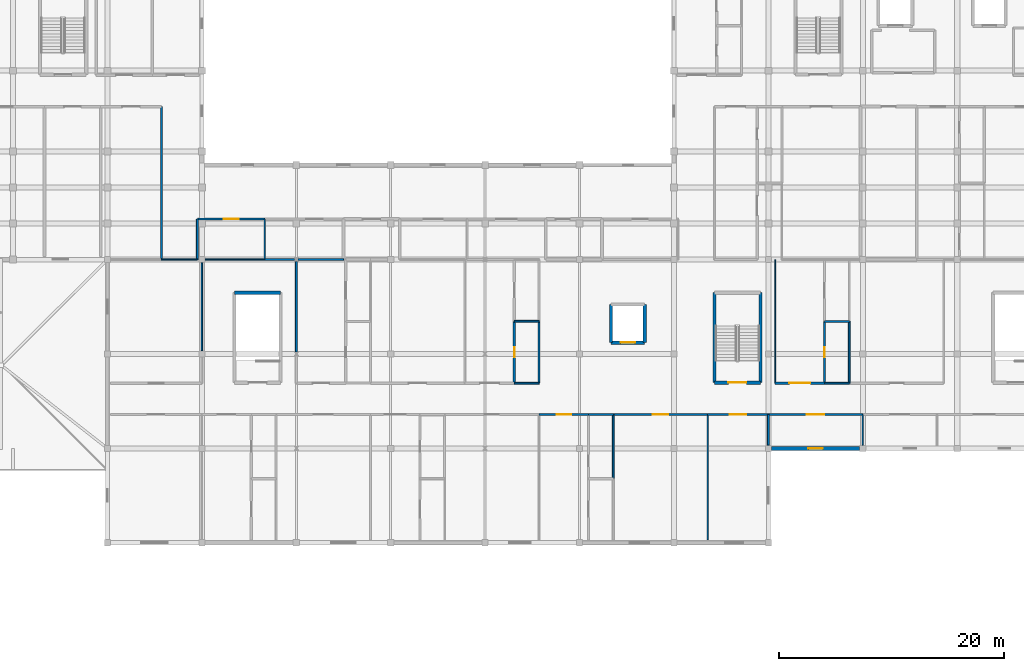
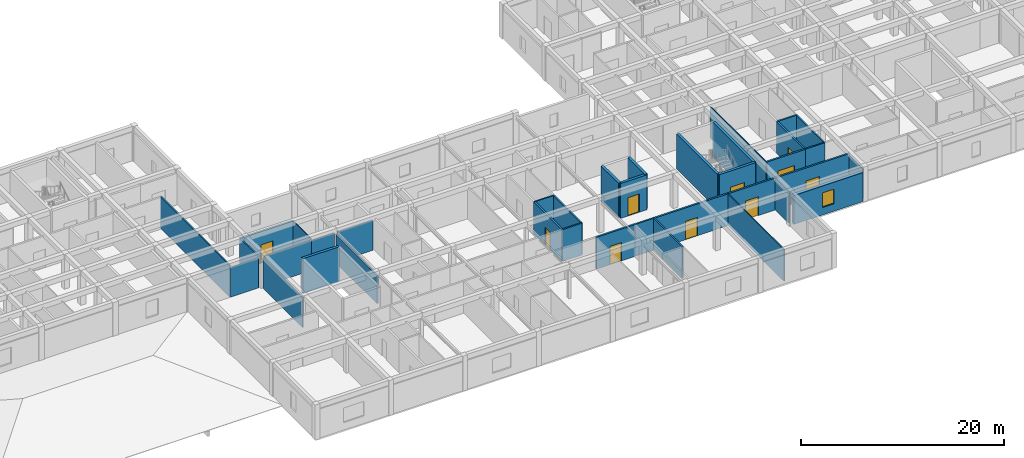
# One storey, part 20 of 42: 37 walls, 10 doors, 1 window, 11 openings.
"""IFC4 building model written with IfcOpenShell, lengths in metres."""

from ifc_helpers import new_model, si_unit, direction, frame, frame_2d, origin, place, context, subcontext, project, spatial, rectangle, extrude, material, layer, layer_set, type_object, element, fill, save


model = new_model("IFC4")

# Units and contexts
model_context = context("Model", 3, precision=1e-05, world=origin(), true_north=direction((0.0, 1.0)))
body_context = subcontext(model_context, "Body", "Model", "MODEL_VIEW")
ifc_project = project(units=[si_unit("LENGTHUNIT", "METRE"), si_unit("AREAUNIT", "SQUARE_METRE"), si_unit("VOLUMEUNIT", "CUBIC_METRE"), si_unit("PLANEANGLEUNIT", "RADIAN"), si_unit("MASSUNIT", "GRAM", prefix="KILO")], contexts=[model_context])

# Site, building, storey
site_placement = place(None, origin())
site = spatial("IfcSite", under=ifc_project, at=site_placement, CompositionType="ELEMENT")
building_placement = place(site_placement, origin())
building = spatial("IfcBuilding", under=site, at=building_placement, Name="Varncliffe General Hospital", CompositionType="ELEMENT")
storey_placement = place(building_placement, frame((0.0, 0.0, 20.39990234375)))
storey = spatial("IfcBuildingStorey", under=building, at=storey_placement, Name="L04", CompositionType="ELEMENT", Elevation=20.39990234375)

# Wall, opening, window
ifc_material_1 = material(Name="Precast concrete C40/50 with insulated cream lime-cement stucco", Category="concrete")
ifc_layer_1 = layer(ifc_material_1, 0.35009765625)
ifc_layer_set_1 = layer_set([ifc_layer_1], Name="Precast concrete C40/50 with insulated cream lime-cement stucco")
wall_type_1 = type_object("IfcWallType", Name="Exterior Insulated Stucco Wall EW37 (350mm)", PredefinedType="SOLIDWALL", material=ifc_layer_set_1)
wall_1_placement = place(storey_placement, frame((125.72705078125, 82.800048828125, 0.0), z_axis=(0.0, 0.0, 1.0), x_axis=(-1.0, 0.0, 0.0)))
wall_1 = element("IfcWall", 1, at=wall_1_placement, inside=storey, type_object=wall_type_1, Name="L04 Exterior Stucco Wall EW37-319", PredefinedType="SOLIDWALL", context=body_context, shape_type="SweptSolid", body=[
    extrude(rectangle(XDim=7.85400390625, YDim=0.35009765625, at=frame_2d((3.927001953125, 0.0))), origin(), (0.0, 0.0, 1.0), 3.47998046875),
])
opening_1_placement = place(wall_1_placement, frame((3.277099609375, 0.0, 0.89990234375)))
opening_1 = element("IfcOpeningElement", 2, at=opening_1_placement, cuts=wall_1, Name="Opening WN40", PredefinedType="OPENING", context=body_context, shape_type="SweptSolid", body=[
    extrude(rectangle(XDim=1.300048828125, YDim=1.75, at=frame_2d((0.64990234375, 0.875))), frame((0.0, 0.18505859375, 0.0), z_axis=(0.0, -1.0, 0.0), x_axis=(1.0, 0.0, 0.0)), (0.0, 0.0, 1.0), 0.3701171875),
])
ifc_material_2 = material(Name="Triple low-E argon insulated vision glazing", Category="glass")
window_type = type_object("IfcWindowType", Name="Triple-Glazed Hospital Window WN40 (1300x1750)", PartitioningType="SINGLE_PANEL", PredefinedType="WINDOW", material=ifc_material_2)
window_placement = place(opening_1_placement, origin())
window = element("IfcWindow", 3, at=window_placement, inside=storey, type_object=window_type, Name="L04 Hospital Window WN40-237", OverallHeight=1.75, OverallWidth=1.300048828125, PartitioningType="SINGLE_PANEL", PredefinedType="WINDOW", context=body_context, shape_type="SweptSolid", body=[
    extrude(rectangle(XDim=1.300048828125, YDim=1.75, at=frame_2d((0.64990234375, 0.875))), frame((0.0, 0.030029296875, 0.0), z_axis=(0.0, -1.0, 0.0), x_axis=(1.0, 0.0, 0.0)), (0.0, 0.0, 1.0), 0.06005859375),
])
fill(opening_1, window)

# Walls
ifc_material_3 = material(Name="Acoustic clinical gypsum stud partition assembly", Category="gypsum")
ifc_layer_2 = layer(ifc_material_3, 0.1298828125)
ifc_layer_set_2 = layer_set([ifc_layer_2], Name="Acoustic clinical gypsum stud partition assembly")
wall_type_2 = type_object("IfcWallType", Name="Interior Partitioning IW11 (130mm)", PredefinedType="PARTITIONING", material=ifc_layer_set_2)
wall_2_placement = place(storey_placement, frame((67.489990234375, 99.60009765625, 0.0), z_axis=(0.0, 0.0, 1.0), x_axis=(1.0, 0.0, 0.0)))
element("IfcWall", 4, at=wall_2_placement, inside=storey, type_object=wall_type_2, Name="L04 Interior Partition Wall IW11-1743", PredefinedType="PARTITIONING", context=body_context, shape_type="SweptSolid", body=[
    extrude(rectangle(XDim=5.31005859375, YDim=0.1298828125, at=frame_2d((2.655029296875, 0.0))), origin(), (0.0, 0.0, 1.0), 3.585205078125),
])
wall_3_placement = place(storey_placement, frame((67.199951171875, 91.489990234375, 0.0), z_axis=(0.0, 0.0, 1.0), x_axis=(0.0, 1.0, 0.0)))
element("IfcWall", 5, at=wall_3_placement, inside=storey, type_object=wall_type_2, Name="L04 Interior Partition Wall IW11-1883", PredefinedType="PARTITIONING", context=body_context, shape_type="SweptSolid", body=[
    extrude(rectangle(XDim=7.820068359375, YDim=0.1298828125, at=frame_2d((3.91015625, 0.0))), origin(), (0.0, 0.0, 1.0), 3.585205078125),
])
ifc_layer_3 = layer(ifc_material_3, 0.169921875)
ifc_layer_set_3 = layer_set([ifc_layer_3], Name="Acoustic clinical gypsum stud partition assembly")
wall_type_3 = type_object("IfcWallType", Name="Interior Partitioning IW20 (170mm)", PredefinedType="PARTITIONING", material=ifc_layer_set_3)
wall_4_placement = place(storey_placement, frame((75.767578125, 99.60009765625, 0.0), z_axis=(0.0, 0.0, 1.0), x_axis=(1.0, 0.0, 0.0)))
element("IfcWall", 6, at=wall_4_placement, inside=storey, type_object=wall_type_3, Name="L04 Interior Partition Wall IW20-1745", PredefinedType="PARTITIONING", context=body_context, shape_type="SweptSolid", body=[
    extrude(rectangle(XDim=4.032470703125, YDim=0.169921875, at=frame_2d((2.01611328125, 0.0))), origin(), (0.0, 0.0, 1.0), 3.585205078125),
])
wall_5_placement = place(storey_placement, frame((66.800048828125, 99.60009765625, 0.0), z_axis=(0.0, 0.0, 1.0), x_axis=(0.0, 1.0, 0.0)))
element("IfcWall", 7, at=wall_5_placement, inside=storey, type_object=wall_type_3, Name="L04 Interior Partition Wall IW20-1880", PredefinedType="PARTITIONING", context=body_context, shape_type="SweptSolid", body=[
    extrude(rectangle(XDim=3.599853515625, YDim=0.169921875, at=frame_2d((1.7998046875, 0.0))), origin(), (0.0, 0.0, 1.0), 3.820068359375),
])
wall_6_placement = place(storey_placement, frame((75.60009765625, 91.368896484375, 0.0), z_axis=(0.0, 0.0, 1.0), x_axis=(0.0, 1.0, 0.0)))
element("IfcWall", 8, at=wall_6_placement, inside=storey, type_object=wall_type_3, Name="L04 Interior Partition Wall IW20-1890", PredefinedType="PARTITIONING", context=body_context, shape_type="SweptSolid", body=[
    extrude(rectangle(XDim=8.06201171875, YDim=0.169921875, at=frame_2d((4.031005859375, 0.0))), origin(), (0.0, 0.0, 1.0), 3.412109375),
])
wall_7_placement = place(storey_placement, frame((117.60009765625, 83.090087890625, 0.0), z_axis=(0.0, 0.0, 1.0), x_axis=(0.0, 1.0, 0.0)))
element("IfcWall", 9, at=wall_7_placement, inside=storey, type_object=wall_type_3, Name="L04 Interior Partition Wall IW20-1925", PredefinedType="PARTITIONING", context=body_context, shape_type="SweptSolid", body=[
    extrude(rectangle(XDim=2.7099609375, YDim=0.169921875, at=frame_2d((1.35498046875, 0.0))), origin(), (0.0, 0.0, 1.0), 3.585205078125),
])
ifc_layer_4 = layer(ifc_material_3, 0.14990234375)
ifc_layer_set_4 = layer_set([ifc_layer_4], Name="Acoustic clinical gypsum stud partition assembly")
wall_type_4 = type_object("IfcWallType", Name="Interior Partitioning IW35 (150mm)", PredefinedType="PARTITIONING", material=ifc_layer_set_4)
wall_8_placement = place(storey_placement, frame((72.800048828125, 99.60009765625, 0.0), z_axis=(0.0, 0.0, 1.0), x_axis=(1.0, 0.0, 0.0)))
element("IfcWall", 10, at=wall_8_placement, inside=storey, type_object=wall_type_4, Name="L04 Interior Partition Wall IW35-1744", PredefinedType="PARTITIONING", context=body_context, shape_type="SweptSolid", body=[
    extrude(rectangle(XDim=2.632568359375, YDim=0.14990234375, at=frame_2d((1.31640625, 0.0))), origin(), (0.0, 0.0, 1.0), 3.585205078125),
])
wall_9_placement = place(storey_placement, frame((63.60009765625, 99.60009765625, 0.0), z_axis=(0.0, 0.0, 1.0), x_axis=(0.0, 1.0, 0.0)))
element("IfcWall", 11, at=wall_9_placement, inside=storey, type_object=wall_type_4, Name="L04 Interior Partition Wall IW35-1879", PredefinedType="PARTITIONING", context=body_context, shape_type="SweptSolid", body=[
    extrude(rectangle(XDim=13.599853515625, YDim=0.14990234375, at=frame_2d((6.7998046875, 0.0))), origin(), (0.0, 0.0, 1.0), 3.820068359375),
])
ifc_layer_5 = layer(ifc_material_3, 0.090087890625)
ifc_layer_set_5 = layer_set([ifc_layer_5], Name="Acoustic clinical gypsum stud partition assembly")
wall_type_5 = type_object("IfcWallType", Name="Interior Partitioning IW42 (90mm)", PredefinedType="PARTITIONING", material=ifc_layer_set_5)
wall_10_placement = place(storey_placement, frame((118.199951171875, 88.60009765625, 0.0), z_axis=(0.0, 0.0, 1.0), x_axis=(0.0, 1.0, 0.0)))
element("IfcWall", 12, at=wall_10_placement, inside=storey, type_object=wall_type_5, Name="L04 Interior Partition Wall IW42-1926", PredefinedType="PARTITIONING", context=body_context, shape_type="SweptSolid", body=[
    extrude(rectangle(XDim=11.0, YDim=0.090087890625, at=frame_2d((5.5, 0.0))), origin(), (0.0, 0.0, 1.0), 3.820068359375),
])
ifc_layer_6 = layer(ifc_material_3, 0.110107421875)
ifc_layer_set_6 = layer_set([ifc_layer_6], Name="Acoustic clinical gypsum stud partition assembly")
wall_type_6 = type_object("IfcWallType", Name="Interior Partitioning IW65 (110mm)", PredefinedType="PARTITIONING", material=ifc_layer_set_6)
wall_11_placement = place(storey_placement, frame((63.60009765625, 99.60009765625, 0.0), z_axis=(0.0, 0.0, 1.0), x_axis=(1.0, 0.0, 0.0)))
element("IfcWall", 13, at=wall_11_placement, inside=storey, type_object=wall_type_6, Name="L04 Interior Partition Wall IW65-1742", PredefinedType="PARTITIONING", context=body_context, shape_type="SweptSolid", body=[
    extrude(rectangle(XDim=3.199951171875, YDim=0.110107421875, at=frame_2d((1.60009765625, 0.0))), origin(), (0.0, 0.0, 1.0), 3.585205078125),
])
wall_12_placement = place(storey_placement, frame((72.800048828125, 99.60009765625, 0.0), z_axis=(0.0, 0.0, 1.0), x_axis=(0.0, 1.0, 0.0)))
element("IfcWall", 14, at=wall_12_placement, inside=storey, type_object=wall_type_6, Name="L04 Interior Partition Wall IW65-1887", PredefinedType="PARTITIONING", context=body_context, shape_type="SweptSolid", body=[
    extrude(rectangle(XDim=3.599853515625, YDim=0.110107421875, at=frame_2d((1.7998046875, 0.0))), origin(), (0.0, 0.0, 1.0), 3.820068359375),
])
wall_13_placement = place(storey_placement, frame((112.199951171875, 74.659912109375, 0.0), z_axis=(0.0, 0.0, 1.0), x_axis=(0.0, 1.0, 0.0)))
element("IfcWall", 15, at=wall_13_placement, inside=storey, type_object=wall_type_6, Name="L04 Interior Partition Wall IW65-1917", PredefinedType="PARTITIONING", context=body_context, shape_type="SweptSolid", body=[
    extrude(rectangle(XDim=11.14013671875, YDim=0.110107421875, at=frame_2d((5.570068359375, 0.0))), origin(), (0.0, 0.0, 1.0), 3.820068359375),
])
wall_14_placement = place(storey_placement, frame((126.0, 83.090087890625, 0.0), z_axis=(0.0, 0.0, 1.0), x_axis=(0.0, 1.0, 0.0)))
element("IfcWall", 16, at=wall_14_placement, inside=storey, type_object=wall_type_6, Name="L04 Interior Partition Wall IW65-1937", PredefinedType="PARTITIONING", context=body_context, shape_type="SweptSolid", body=[
    extrude(rectangle(XDim=2.7099609375, YDim=0.110107421875, at=frame_2d((1.35498046875, 0.0))), origin(), (0.0, 0.0, 1.0), 3.585205078125),
])

# Wall, opening, door
ifc_material_4 = material(Name="Fire-rated gypsum and mineral-wool partition assembly", Category="gypsum")
ifc_layer_7 = layer(ifc_material_4, 0.199951171875)
ifc_layer_set_7 = layer_set([ifc_layer_7], Name="Fire-rated gypsum and mineral-wool partition assembly")
wall_type_7 = type_object("IfcWallType", Name="Interior Partitioning PW63 (200mm)", PredefinedType="PARTITIONING", material=ifc_layer_set_7)
wall_15_placement = place(storey_placement, frame((97.199951171875, 85.800048828125, 0.0), z_axis=(0.0, 0.0, 1.0), x_axis=(1.0, 0.0, 0.0)))
wall_15 = element("IfcWall", 17, at=wall_15_placement, inside=storey, type_object=wall_type_7, Name="L04 Interior Partition Wall PW63-1705", PredefinedType="PARTITIONING", context=body_context, shape_type="SweptSolid", body=[
    extrude(rectangle(XDim=4.400146484375, YDim=0.199951171875, at=frame_2d((2.2001953125, 0.0))), origin(), (0.0, 0.0, 1.0), 3.820068359375),
])
opening_2_placement = place(wall_15_placement, frame((1.550048828125, 0.0, 0.0)))
opening_2 = element("IfcOpeningElement", 18, at=opening_2_placement, cuts=wall_15, Name="Opening DC88", PredefinedType="OPENING", context=body_context, shape_type="SweptSolid", body=[
    extrude(rectangle(XDim=1.300048828125, YDim=2.199951171875, at=frame_2d((0.64990234375, 1.10009765625))), frame((0.0, 0.10986328125, 0.0), z_axis=(0.0, -1.0, 0.0), x_axis=(1.0, 0.0, 0.0)), (0.0, 0.0, 1.0), 0.219970703125),
])
ifc_material_5 = material(Name="Fire-rated hospital steel-frame vision-panel door", Category="steel")
door_type_1 = type_object("IfcDoorType", Name="Interior Hospital Door DC88 (1300x2200)", OperationType="NOTDEFINED", PredefinedType="DOOR", material=ifc_material_5)
door_1_placement = place(opening_2_placement, frame((1.300048828125, 0.0, 0.0), z_axis=(0.0, 0.0, 1.0), x_axis=(-1.0, 0.0, 0.0)))
door_1 = element("IfcDoor", 19, at=door_1_placement, inside=storey, type_object=door_type_1, Name="L04 Interventional Short-Stay Recovery Room 38 Door", OperationType="SINGLE_SWING_LEFT", OverallHeight=2.199951171875, OverallWidth=1.300048828125, PredefinedType="DOOR", context=body_context, shape_type="SweptSolid", body=[
    extrude(rectangle(XDim=1.300048828125, YDim=2.199951171875, at=frame_2d((0.64990234375, 1.10009765625))), frame((0.0, 0.02490234375, 0.0), z_axis=(0.0, -1.0, 0.0), x_axis=(1.0, 0.0, 0.0)), (0.0, 0.0, 1.0), 0.050048828125),
])
fill(opening_2, door_1)

wall_16_placement = place(storey_placement, frame((103.800048828125, 85.800048828125, 0.0), z_axis=(0.0, 0.0, 1.0), x_axis=(1.0, 0.0, 0.0)))
wall_16 = element("IfcWall", 20, at=wall_16_placement, inside=storey, type_object=wall_type_7, Name="L04 Interior Partition Wall PW63-1707", PredefinedType="PARTITIONING", context=body_context, shape_type="SweptSolid", body=[
    extrude(rectangle(XDim=8.39990234375, YDim=0.199951171875, at=frame_2d((4.199951171875, 0.0))), origin(), (0.0, 0.0, 1.0), 3.820068359375),
])
opening_3_placement = place(wall_16_placement, frame((3.52490234375, 0.0, 0.0)))
opening_3 = element("IfcOpeningElement", 21, at=opening_3_placement, cuts=wall_16, Name="Opening DC85", PredefinedType="OPENING", context=body_context, shape_type="SweptSolid", body=[
    extrude(rectangle(XDim=1.35009765625, YDim=2.199951171875, at=frame_2d((0.675048828125, 1.10009765625))), frame((0.0, 0.10986328125, 0.0), z_axis=(0.0, -1.0, 0.0), x_axis=(1.0, 0.0, 0.0)), (0.0, 0.0, 1.0), 0.219970703125),
])
door_type_2 = type_object("IfcDoorType", Name="Interior Hospital Door DC85 (1350x2200)", OperationType="NOTDEFINED", PredefinedType="DOOR", material=ifc_material_5)
door_2_placement = place(opening_3_placement, frame((1.35009765625, 0.0, 0.0), z_axis=(0.0, 0.0, 1.0), x_axis=(-1.0, 0.0, 0.0)))
door_2 = element("IfcDoor", 22, at=door_2_placement, inside=storey, type_object=door_type_2, Name="L04 Perinatal Caesarean Surgical Theatre 41 Door", OperationType="SINGLE_SWING_RIGHT", OverallHeight=2.199951171875, OverallWidth=1.35009765625, PredefinedType="DOOR", context=body_context, shape_type="SweptSolid", body=[
    extrude(rectangle(XDim=1.35009765625, YDim=2.199951171875, at=frame_2d((0.675048828125, 1.10009765625))), frame((0.0, 0.02490234375, 0.0), z_axis=(0.0, -1.0, 0.0), x_axis=(1.0, 0.0, 0.0)), (0.0, 0.0, 1.0), 0.050048828125),
])
fill(opening_3, door_2)

wall_17_placement = place(storey_placement, frame((112.199951171875, 85.800048828125, 0.0), z_axis=(0.0, 0.0, 1.0), x_axis=(1.0, 0.0, 0.0)))
wall_17 = element("IfcWall", 23, at=wall_17_placement, inside=storey, type_object=wall_type_7, Name="L04 Interior Partition Wall PW63-1708", PredefinedType="PARTITIONING", context=body_context, shape_type="SweptSolid", body=[
    extrude(rectangle(XDim=5.400146484375, YDim=0.199951171875, at=frame_2d((2.7001953125, 0.0))), origin(), (0.0, 0.0, 1.0), 3.820068359375),
])
opening_4_placement = place(wall_17_placement, frame((1.97509765625, 0.0, 0.0)))
opening_4 = element("IfcOpeningElement", 24, at=opening_4_placement, cuts=wall_17, Name="Opening DC66", PredefinedType="OPENING", context=body_context, shape_type="SweptSolid", body=[
    extrude(rectangle(XDim=1.449951171875, YDim=2.25, at=frame_2d((0.72509765625, 1.125))), frame((0.0, 0.10986328125, 0.0), z_axis=(0.0, -1.0, 0.0), x_axis=(1.0, 0.0, 0.0)), (0.0, 0.0, 1.0), 0.219970703125),
])
door_type_3 = type_object("IfcDoorType", Name="Interior Hospital Door DC66 (1450x2250)", OperationType="NOTDEFINED", PredefinedType="DOOR", material=ifc_material_5)
door_3_placement = place(opening_4_placement, frame((1.449951171875, 0.0, 0.0), z_axis=(0.0, 0.0, 1.0), x_axis=(-1.0, 0.0, 0.0)))
door_3 = element("IfcDoor", 25, at=door_3_placement, inside=storey, type_object=door_type_3, Name="L04 Interventional Short-Stay Recovery Room 42 Door", OperationType="SINGLE_SWING_LEFT", OverallHeight=2.25, OverallWidth=1.449951171875, PredefinedType="DOOR", context=body_context, shape_type="SweptSolid", body=[
    extrude(rectangle(XDim=1.449951171875, YDim=2.25, at=frame_2d((0.72509765625, 1.125))), frame((0.0, 0.02490234375, 0.0), z_axis=(0.0, -1.0, 0.0), x_axis=(1.0, 0.0, 0.0)), (0.0, 0.0, 1.0), 0.050048828125),
])
fill(opening_4, door_3)

wall_18_placement = place(storey_placement, frame((117.60009765625, 85.800048828125, 0.0), z_axis=(0.0, 0.0, 1.0), x_axis=(1.0, 0.0, 0.0)))
wall_18 = element("IfcWall", 26, at=wall_18_placement, inside=storey, type_object=wall_type_7, Name="L04 Interior Partition Wall PW63-1709", PredefinedType="PARTITIONING", context=body_context, shape_type="SweptSolid", body=[
    extrude(rectangle(XDim=8.39990234375, YDim=0.199951171875, at=frame_2d((4.199951171875, 0.0))), origin(), (0.0, 0.0, 1.0), 3.820068359375),
])
opening_5_placement = place(wall_18_placement, frame((3.425048828125, 0.0, 0.0)))
opening_5 = element("IfcOpeningElement", 27, at=opening_5_placement, cuts=wall_18, Name="Opening DC67", PredefinedType="OPENING", context=body_context, shape_type="SweptSolid", body=[
    extrude(rectangle(XDim=1.550048828125, YDim=2.25, at=frame_2d((0.77490234375, 1.125))), frame((0.0, 0.10986328125, 0.0), z_axis=(0.0, -1.0, 0.0), x_axis=(1.0, 0.0, 0.0)), (0.0, 0.0, 1.0), 0.219970703125),
])
door_type_4 = type_object("IfcDoorType", Name="Interior Hospital Door DC67 (1550x2250)", OperationType="NOTDEFINED", PredefinedType="DOOR", material=ifc_material_5)
door_4_placement = place(opening_5_placement, frame((1.550048828125, 0.0, 0.0), z_axis=(0.0, 0.0, 1.0), x_axis=(-1.0, 0.0, 0.0)))
door_4 = element("IfcDoor", 28, at=door_4_placement, inside=storey, type_object=door_type_4, Name="L04 Perinatal Caesarean Surgical Theatre 43 Door", OperationType="SINGLE_SWING_RIGHT", OverallHeight=2.25, OverallWidth=1.550048828125, PredefinedType="DOOR", context=body_context, shape_type="SweptSolid", body=[
    extrude(rectangle(XDim=1.550048828125, YDim=2.25, at=frame_2d((0.77490234375, 1.125))), frame((0.0, 0.02490234375, 0.0), z_axis=(0.0, -1.0, 0.0), x_axis=(1.0, 0.0, 0.0)), (0.0, 0.0, 1.0), 0.050048828125),
])
fill(opening_5, door_4)

wall_19_placement = place(storey_placement, frame((118.199951171875, 88.60009765625, 0.0), z_axis=(0.0, 0.0, 1.0), x_axis=(1.0, 0.0, 0.0)))
wall_19 = element("IfcWall", 29, at=wall_19_placement, inside=storey, type_object=wall_type_7, Name="L04 Interior Partition Wall PW63-1720", PredefinedType="PARTITIONING", context=body_context, shape_type="SweptSolid", body=[
    extrude(rectangle(XDim=4.400146484375, YDim=0.199951171875, at=frame_2d((2.2001953125, 0.0))), origin(), (0.0, 0.0, 1.0), 3.820068359375),
])
opening_6_placement = place(wall_19_placement, frame((1.27490234375, 0.0, 0.0)))
opening_6 = element("IfcOpeningElement", 30, at=opening_6_placement, cuts=wall_19, Name="Opening DC38", PredefinedType="OPENING", context=body_context, shape_type="SweptSolid", body=[
    extrude(rectangle(XDim=1.85009765625, YDim=2.300048828125, at=frame_2d((0.925048828125, 1.14990234375))), frame((0.0, 0.10986328125, 0.0), z_axis=(0.0, -1.0, 0.0), x_axis=(1.0, 0.0, 0.0)), (0.0, 0.0, 1.0), 0.219970703125),
])
door_type_5 = type_object("IfcDoorType", Name="Interior Hospital Door DC38 (1850x2300)", OperationType="NOTDEFINED", PredefinedType="DOOR", material=ifc_material_5)
door_5_placement = place(opening_6_placement, origin())
door_5 = element("IfcDoor", 31, at=door_5_placement, inside=storey, type_object=door_type_5, Name="L04 Interventional Short-Stay Recovery Room 56 Door", OperationType="SINGLE_SWING_LEFT", OverallHeight=2.300048828125, OverallWidth=1.85009765625, PredefinedType="DOOR", context=body_context, shape_type="SweptSolid", body=[
    extrude(rectangle(XDim=1.85009765625, YDim=2.300048828125, at=frame_2d((0.925048828125, 1.14990234375))), frame((0.0, 0.02490234375, 0.0), z_axis=(0.0, -1.0, 0.0), x_axis=(1.0, 0.0, 0.0)), (0.0, 0.0, 1.0), 0.050048828125),
])
fill(opening_6, door_5)

wall_20_placement = place(storey_placement, frame((66.800048828125, 103.199951171875, 0.0), z_axis=(0.0, 0.0, 1.0), x_axis=(1.0, 0.0, 0.0)))
wall_20 = element("IfcWall", 32, at=wall_20_placement, inside=storey, type_object=wall_type_7, Name="L04 Interior Partition Wall PW63-1772", PredefinedType="PARTITIONING", context=body_context, shape_type="SweptSolid", body=[
    extrude(rectangle(XDim=6.0, YDim=0.199951171875, at=frame_2d((3.0, 0.0))), origin(), (0.0, 0.0, 1.0), 3.820068359375),
])
opening_7_placement = place(wall_20_placement, frame((2.324951171875, 0.0, 0.0)))
opening_7 = element("IfcOpeningElement", 33, at=opening_7_placement, cuts=wall_20, Name="Opening DC85", PredefinedType="OPENING", context=body_context, shape_type="SweptSolid", body=[
    extrude(rectangle(XDim=1.35009765625, YDim=2.199951171875, at=frame_2d((0.675048828125, 1.10009765625))), frame((0.0, 0.10986328125, 0.0), z_axis=(0.0, -1.0, 0.0), x_axis=(1.0, 0.0, 0.0)), (0.0, 0.0, 1.0), 0.219970703125),
])
door_6_placement = place(opening_7_placement, frame((1.35009765625, 0.0, 0.0), z_axis=(0.0, 0.0, 1.0), x_axis=(-1.0, 0.0, 0.0)))
door_6 = element("IfcDoor", 34, at=door_6_placement, inside=storey, type_object=door_type_2, Name="L04 Cardiology Telemetry Inpatient Room 135 Door", OperationType="SINGLE_SWING_RIGHT", OverallHeight=2.199951171875, OverallWidth=1.35009765625, PredefinedType="DOOR", context=body_context, shape_type="SweptSolid", body=[
    extrude(rectangle(XDim=1.35009765625, YDim=2.199951171875, at=frame_2d((0.675048828125, 1.10009765625))), frame((0.0, 0.02490234375, 0.0), z_axis=(0.0, -1.0, 0.0), x_axis=(1.0, 0.0, 0.0)), (0.0, 0.0, 1.0), 0.050048828125),
])
fill(opening_7, door_6)

wall_21_placement = place(storey_placement, frame((95.0, 88.60009765625, 0.0), z_axis=(0.0, 0.0, 1.0), x_axis=(0.0, 1.0, 0.0)))
wall_21 = element("IfcWall", 35, at=wall_21_placement, inside=storey, type_object=wall_type_7, Name="L04 Interior Partition Wall PW63-1905", PredefinedType="PARTITIONING", context=body_context, shape_type="SweptSolid", body=[
    extrude(rectangle(XDim=5.5, YDim=0.199951171875, at=frame_2d((2.75, 0.0))), origin(), (0.0, 0.0, 1.0), 3.820068359375),
])
opening_8_placement = place(wall_21_placement, frame((2.2900390625, 0.0, 0.0)))
opening_8 = element("IfcOpeningElement", 36, at=opening_8_placement, cuts=wall_21, Name="Opening DI70", PredefinedType="OPENING", context=body_context, shape_type="SweptSolid", body=[
    extrude(rectangle(XDim=0.919921875, YDim=2.10009765625, at=frame_2d((0.4599609375, 1.050048828125))), frame((0.0, 0.10986328125, 0.0), z_axis=(0.0, -1.0, 0.0), x_axis=(1.0, 0.0, 0.0)), (0.0, 0.0, 1.0), 0.219970703125),
])
ifc_material_6 = material(Name="Solid-core antimicrobial hospital oak veneer door", Category="wood")
door_type_6 = type_object("IfcDoorType", Name="Interior Hospital Door DI70 (920x2100)", OperationType="NOTDEFINED", PredefinedType="DOOR", material=ifc_material_6)
door_7_placement = place(opening_8_placement, frame((0.919921875, 0.0, 0.0), z_axis=(0.0, 0.0, 1.0), x_axis=(-1.0, 0.0, 0.0)))
door_7 = element("IfcDoor", 37, at=door_7_placement, inside=storey, type_object=door_type_6, Name="L04 En-Suite Bathroom 54 Door", OperationType="SINGLE_SWING_RIGHT", OverallHeight=2.10009765625, OverallWidth=0.919921875, PredefinedType="DOOR", context=body_context, shape_type="SweptSolid", body=[
    extrude(rectangle(XDim=0.919921875, YDim=2.10009765625, at=frame_2d((0.4599609375, 1.050048828125))), frame((0.0, 0.02490234375, 0.0), z_axis=(0.0, -1.0, 0.0), x_axis=(1.0, 0.0, 0.0)), (0.0, 0.0, 1.0), 0.050048828125),
])
fill(opening_8, door_7)

wall_22_placement = place(storey_placement, frame((122.60009765625, 88.60009765625, 0.0), z_axis=(0.0, 0.0, 1.0), x_axis=(0.0, 1.0, 0.0)))
wall_22 = element("IfcWall", 38, at=wall_22_placement, inside=storey, type_object=wall_type_7, Name="L04 Interior Partition Wall PW63-1929", PredefinedType="PARTITIONING", context=body_context, shape_type="SweptSolid", body=[
    extrude(rectangle(XDim=5.5, YDim=0.199951171875, at=frame_2d((2.75, 0.0))), origin(), (0.0, 0.0, 1.0), 3.820068359375),
])
opening_9_placement = place(wall_22_placement, frame((2.2900390625, 0.0, 0.0)))
opening_9 = element("IfcOpeningElement", 39, at=opening_9_placement, cuts=wall_22, Name="Opening DI70", PredefinedType="OPENING", context=body_context, shape_type="SweptSolid", body=[
    extrude(rectangle(XDim=0.919921875, YDim=2.10009765625, at=frame_2d((0.4599609375, 1.050048828125))), frame((0.0, 0.10986328125, 0.0), z_axis=(0.0, -1.0, 0.0), x_axis=(1.0, 0.0, 0.0)), (0.0, 0.0, 1.0), 0.219970703125),
])
door_8_placement = place(opening_9_placement, frame((0.919921875, 0.0, 0.0), z_axis=(0.0, 0.0, 1.0), x_axis=(-1.0, 0.0, 0.0)))
door_8 = element("IfcDoor", 40, at=door_8_placement, inside=storey, type_object=door_type_6, Name="L04 En-Suite Bathroom 57 Door", OperationType="SINGLE_SWING_RIGHT", OverallHeight=2.10009765625, OverallWidth=0.919921875, PredefinedType="DOOR", context=body_context, shape_type="SweptSolid", body=[
    extrude(rectangle(XDim=0.919921875, YDim=2.10009765625, at=frame_2d((0.4599609375, 1.050048828125))), frame((0.0, 0.02490234375, 0.0), z_axis=(0.0, -1.0, 0.0), x_axis=(1.0, 0.0, 0.0)), (0.0, 0.0, 1.0), 0.050048828125),
])
fill(opening_9, door_8)

# Walls
ifc_material_7 = material(Name="Moisture-resistant plumbing chase wall assembly", Category="gypsum")
ifc_layer_8 = layer(ifc_material_7, 0.18994140625)
ifc_layer_set_8 = layer_set([ifc_layer_8], Name="Moisture-resistant plumbing chase wall assembly")
wall_type_8 = type_object("IfcWallType", Name="Interior Plumbingwall MW17 (190mm)", PredefinedType="PLUMBINGWALL", material=ifc_layer_set_8)
for number, where, z_axis, x_axis, name in (
    (41, (101.60009765625, 85.800048828125, 0.0), (0.0, 0.0, 1.0), (1.0, 0.0, 0.0), "L04 Interior Plumbing Wall MW17-1706"),
    (42, (122.60009765625, 94.10009765625, 0.0), (0.0, 0.0, 1.0), (1.0, 0.0, 0.0), "L04 Interior Plumbing Wall MW17-1730"),
):
    element("IfcWall", number, at=place(storey_placement, frame(where, z_axis=z_axis, x_axis=x_axis)), inside=storey, type_object=wall_type_8, Name=name, PredefinedType="PLUMBINGWALL", context=body_context, shape_type="SweptSolid", body=[
        extrude(rectangle(XDim=2.199951171875, YDim=0.18994140625, at=frame_2d((1.10009765625, 0.0))), origin(), (0.0, 0.0, 1.0), 3.820068359375),
    ])
wall_23_placement = place(storey_placement, frame((97.199951171875, 88.60009765625, 0.0), z_axis=(0.0, 0.0, 1.0), x_axis=(0.0, 1.0, 0.0)))
element("IfcWall", 43, at=wall_23_placement, inside=storey, type_object=wall_type_8, Name="L04 Interior Plumbing Wall MW17-1908", PredefinedType="PLUMBINGWALL", context=body_context, shape_type="SweptSolid", body=[
    extrude(rectangle(XDim=5.5, YDim=0.18994140625, at=frame_2d((2.75, 0.0))), origin(), (0.0, 0.0, 1.0), 3.820068359375),
])
ifc_layer_9 = layer(ifc_material_7, 0.159912109375)
ifc_layer_set_9 = layer_set([ifc_layer_9], Name="Moisture-resistant plumbing chase wall assembly")
wall_type_9 = type_object("IfcWallType", Name="Interior Plumbingwall MW31 (160mm)", PredefinedType="PLUMBINGWALL", material=ifc_layer_set_9)
for number, where, z_axis, x_axis, name in (
    (44, (95.0, 88.60009765625, 0.0), (0.0, 0.0, 1.0), (1.0, 0.0, 0.0), "L04 Interior Plumbing Wall MW31-1719"),
    (45, (122.60009765625, 88.60009765625, 0.0), (0.0, 0.0, 1.0), (1.0, 0.0, 0.0), "L04 Interior Plumbing Wall MW31-1721"),
    (46, (95.0, 94.10009765625, 0.0), (0.0, 0.0, 1.0), (1.0, 0.0, 0.0), "L04 Interior Plumbing Wall MW31-1729"),
):
    element("IfcWall", number, at=place(storey_placement, frame(where, z_axis=z_axis, x_axis=x_axis)), inside=storey, type_object=wall_type_9, Name=name, PredefinedType="PLUMBINGWALL", context=body_context, shape_type="SweptSolid", body=[
        extrude(rectangle(XDim=2.199951171875, YDim=0.159912109375, at=frame_2d((1.10009765625, 0.0))), origin(), (0.0, 0.0, 1.0), 3.820068359375),
    ])
wall_24_placement = place(storey_placement, frame((103.800048828125, 80.10009765625, 0.0), z_axis=(0.0, 0.0, 1.0), x_axis=(0.0, 1.0, 0.0)))
element("IfcWall", 47, at=wall_24_placement, inside=storey, type_object=wall_type_9, Name="L04 Interior Plumbing Wall MW31-1915", PredefinedType="PLUMBINGWALL", context=body_context, shape_type="SweptSolid", body=[
    extrude(rectangle(XDim=5.699951171875, YDim=0.159912109375, at=frame_2d((2.85009765625, 0.0))), origin(), (0.0, 0.0, 1.0), 3.820068359375),
])
wall_25_placement = place(storey_placement, frame((124.800048828125, 88.60009765625, 0.0), z_axis=(0.0, 0.0, 1.0), x_axis=(0.0, 1.0, 0.0)))
element("IfcWall", 48, at=wall_25_placement, inside=storey, type_object=wall_type_9, Name="L04 Interior Plumbing Wall MW31-1931", PredefinedType="PLUMBINGWALL", context=body_context, shape_type="SweptSolid", body=[
    extrude(rectangle(XDim=5.5, YDim=0.159912109375, at=frame_2d((2.75, 0.0))), origin(), (0.0, 0.0, 1.0), 3.820068359375),
])
ifc_material_8 = material(Name="Concrete C40/50 (CSA A23.1 40 MPa)", Category="concrete")
ifc_layer_10 = layer(ifc_material_8, 0.300048828125)
ifc_layer_set_10 = layer_set([ifc_layer_10], Name="Concrete C40/50 (CSA A23.1 40 MPa)")
wall_type_10 = type_object("IfcWallType", Name="Reinforced Concrete Core Shear Wall CW12 (300mm)", PredefinedType="SHEAR", material=ifc_layer_set_10)
for number, where, z_axis, x_axis, name in (
    (49, (116.89990234375, 88.64990234375, 0.0), (0.0, 0.0, 1.0), (0.0, 1.0, 0.0), "L04 ST06 Core Shear Wall L"),
    (50, (112.800048828125, 96.64990234375, 0.0), (0.0, 0.0, 1.0), (0.0, -1.0, 0.0), "L04 ST06 Core Shear Wall R"),
):
    element("IfcWall", number, at=place(storey_placement, frame(where, z_axis=z_axis, x_axis=x_axis)), inside=storey, type_object=wall_type_10, Name=name, PredefinedType="SHEAR", context=body_context, shape_type="SweptSolid", body=[
        extrude(rectangle(XDim=8.0, YDim=0.300048828125, at=frame_2d((4.0, 0.0))), origin(), (0.0, 0.0, 1.0), 4.2001953125),
    ])

# Wall, opening, door
wall_26_placement = place(storey_placement, frame((112.800048828125, 88.64990234375, 0.0), z_axis=(0.0, 0.0, 1.0), x_axis=(1.0, 0.0, 0.0)))
wall_26 = element("IfcWall", 51, at=wall_26_placement, inside=storey, type_object=wall_type_10, Name="L04 ST06 Core Shear Wall N", PredefinedType="SHEAR", context=body_context, shape_type="SweptSolid", body=[
    extrude(rectangle(XDim=4.099853515625, YDim=0.300048828125, at=frame_2d((2.0498046875, 0.0))), origin(), (0.0, 0.0, 1.0), 4.2001953125),
])
opening_10_placement = place(wall_26_placement, frame((1.25, 0.0, 0.0)))
opening_10 = element("IfcOpeningElement", 52, at=opening_10_placement, cuts=wall_26, Name="Opening DF27", PredefinedType="OPENING", context=body_context, shape_type="SweptSolid", body=[
    extrude(rectangle(XDim=1.60009765625, YDim=2.25, at=frame_2d((0.800048828125, 1.125))), frame((0.0, 0.16015625, 0.0), z_axis=(0.0, -1.0, 0.0), x_axis=(1.0, 0.0, 0.0)), (0.0, 0.0, 1.0), 0.320068359375),
])
door_type_7 = type_object("IfcDoorType", Name="Interior Hospital Door DF27 (1600x2250)", OperationType="NOTDEFINED", PredefinedType="DOOR", material=ifc_material_5)
door_9_placement = place(opening_10_placement, frame((1.60009765625, 0.0, 0.0), z_axis=(0.0, 0.0, 1.0), x_axis=(-1.0, 0.0, 0.0)))
door_9 = element("IfcDoor", 53, at=door_9_placement, inside=storey, type_object=door_type_7, Name="L04 ST06 Protected Exit Stair Door", OperationType="SINGLE_SWING_LEFT", OverallHeight=2.25, OverallWidth=1.60009765625, PredefinedType="DOOR", context=body_context, shape_type="SweptSolid", body=[
    extrude(rectangle(XDim=1.60009765625, YDim=2.25, at=frame_2d((0.800048828125, 1.125))), frame((0.0, 0.02490234375, 0.0), z_axis=(0.0, -1.0, 0.0), x_axis=(1.0, 0.0, 0.0)), (0.0, 0.0, 1.0), 0.050048828125),
])
fill(opening_10, door_9)

# Wall
wall_27_placement = place(storey_placement, frame((74.199951171875, 96.64990234375, 0.0), z_axis=(0.0, 0.0, 1.0), x_axis=(-1.0, 0.0, 0.0)))
element("IfcWall", 54, at=wall_27_placement, inside=storey, type_object=wall_type_10, Name="L04 ST12 Core Shear Wall F", PredefinedType="SHEAR", context=body_context, shape_type="SweptSolid", body=[
    extrude(rectangle(XDim=4.099853515625, YDim=0.300048828125, at=frame_2d((2.0498046875, 0.0))), origin(), (0.0, 0.0, 1.0), 4.2001953125),
])

# Wall, opening, door
wall_28_placement = place(storey_placement, frame((103.60009765625, 92.199951171875, 0.0), z_axis=(0.0, 0.0, 1.0), x_axis=(1.0, 0.0, 0.0)))
wall_28 = element("IfcWall", 55, at=wall_28_placement, inside=storey, type_object=wall_type_10, Name="L04 LF07 Elevator Shaft Wall South", PredefinedType="SHEAR", context=body_context, shape_type="SweptSolid", body=[
    extrude(rectangle(XDim=3.0, YDim=0.300048828125, at=frame_2d((1.5, 0.0))), origin(), (0.0, 0.0, 1.0), 4.2001953125),
])
opening_11_placement = place(wall_28_placement, frame((0.85009765625, 0.0, 0.0)))
opening_11 = element("IfcOpeningElement", 56, at=opening_11_placement, cuts=wall_28, Name="Opening LD02", PredefinedType="OPENING", context=body_context, shape_type="SweptSolid", body=[
    extrude(rectangle(XDim=1.300048828125, YDim=2.199951171875, at=frame_2d((0.64990234375, 1.10009765625))), frame((0.0, 0.16015625, 0.0), z_axis=(0.0, -1.0, 0.0), x_axis=(1.0, 0.0, 0.0)), (0.0, 0.0, 1.0), 0.320068359375),
])
ifc_material_9 = material(Name="Brushed stainless-steel sliding elevator landing door", Category="steel")
door_type_8 = type_object("IfcDoorType", Name="Lift Landing Door LD02 (1300x2200)", OperationType="DOUBLE_DOOR_SLIDING", PredefinedType="DOOR", material=ifc_material_9)
door_10_placement = place(opening_11_placement, origin())
door_10 = element("IfcDoor", 57, at=door_10_placement, inside=storey, type_object=door_type_8, Name="Lift Landing Door LF07 L04", OperationType="DOUBLE_DOOR_SLIDING", OverallHeight=2.199951171875, OverallWidth=1.300048828125, PredefinedType="DOOR", context=body_context, shape_type="SweptSolid", body=[
    extrude(rectangle(XDim=1.300048828125, YDim=2.199951171875, at=frame_2d((0.64990234375, 1.10009765625))), frame((0.0, 0.02490234375, 0.0), z_axis=(0.0, -1.0, 0.0), x_axis=(1.0, 0.0, 0.0)), (0.0, 0.0, 1.0), 0.050048828125),
])
fill(opening_11, door_10)

# Walls
for number, where, z_axis, x_axis, name in (
    (58, (106.60009765625, 92.199951171875, 0.0), (0.0, 0.0, 1.0), (0.0, 1.0, 0.0), "L04 LF07 Elevator Shaft Wall East"),
    (59, (103.60009765625, 95.60009765625, 0.0), (0.0, 0.0, 1.0), (0.0, -1.0, 0.0), "L04 LF07 Elevator Shaft Wall West"),
):
    element("IfcWall", number, at=place(storey_placement, frame(where, z_axis=z_axis, x_axis=x_axis)), inside=storey, type_object=wall_type_10, Name=name, PredefinedType="SHEAR", context=body_context, shape_type="SweptSolid", body=[
        extrude(rectangle(XDim=3.400146484375, YDim=0.300048828125, at=frame_2d((1.7001953125, 0.0))), origin(), (0.0, 0.0, 1.0), 4.2001953125),
    ])

save(model, "model.ifc")
